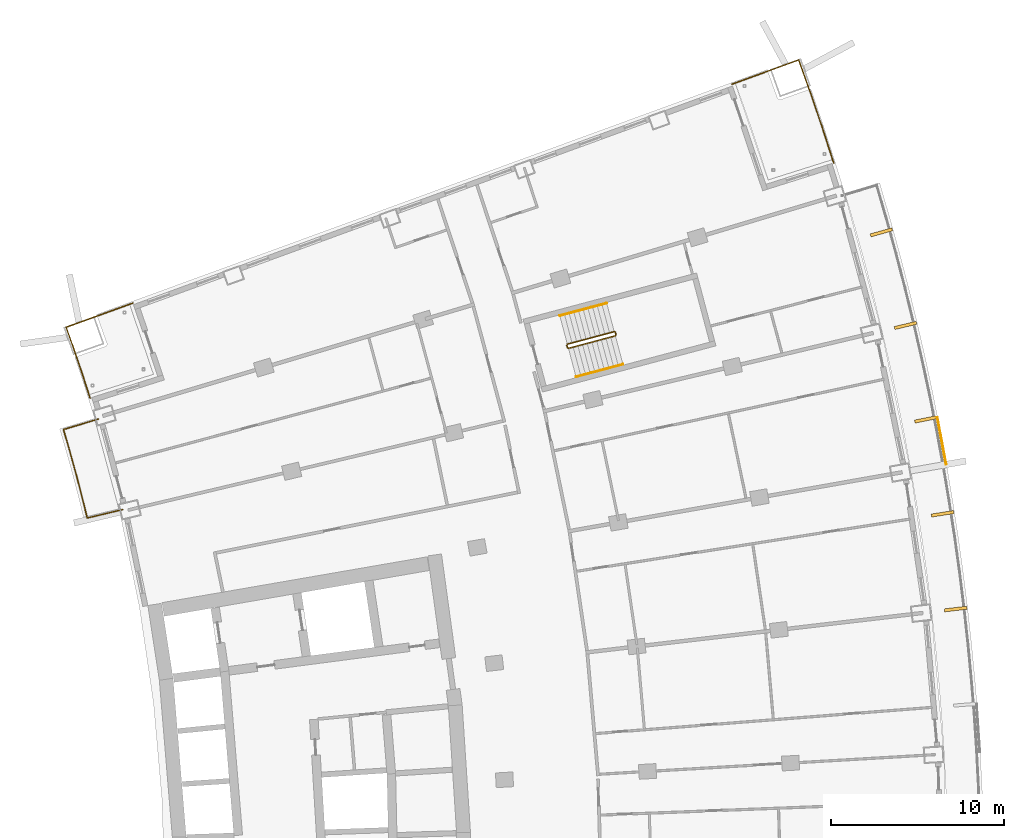
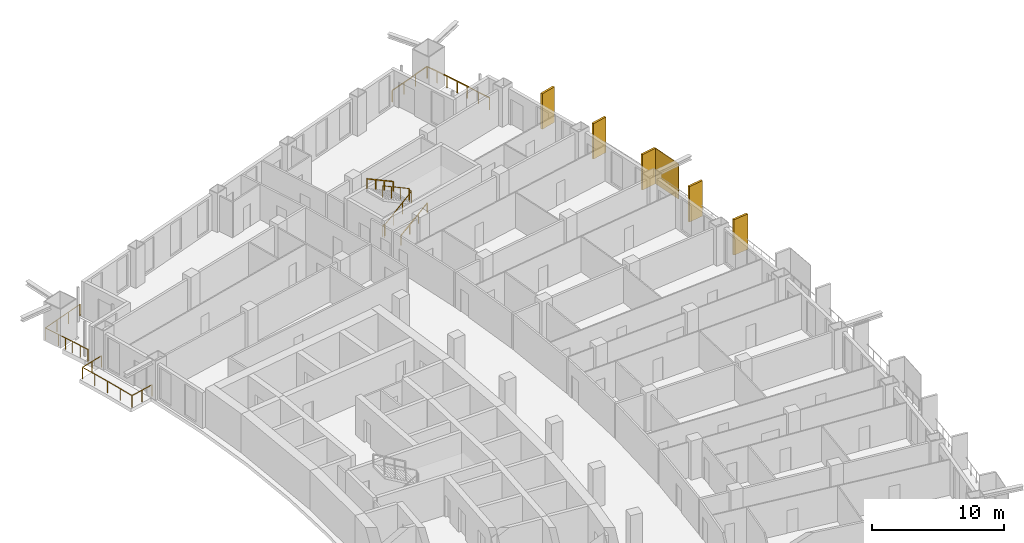
# One storey, part 25 of 25: 6 railings, 6 shading devices.
"""IFC4 building model written with IfcOpenShell, lengths in metres."""

from ifc_helpers import new_model, si_unit, direction, frame, origin, origin_2d, place, context, subcontext, project, spatial, rectangle, extrude, material, layer, layer_set, type_object, element, save


model = new_model("IFC4")

# Units and contexts
model_context = context("Model", 3, precision=1e-05, world=origin(), true_north=direction((0.0, 1.0)))
body_context = subcontext(model_context, "Body", "Model", "MODEL_VIEW")
ifc_project = project(units=[si_unit("LENGTHUNIT", "METRE"), si_unit("AREAUNIT", "SQUARE_METRE"), si_unit("VOLUMEUNIT", "CUBIC_METRE"), si_unit("PLANEANGLEUNIT", "RADIAN"), si_unit("MASSUNIT", "GRAM", prefix="KILO")], contexts=[model_context])

# Site, building, storey
site_placement = place(None, origin())
site = spatial("IfcSite", under=ifc_project, at=site_placement, CompositionType="ELEMENT")
building_placement = place(site_placement, origin())
building = spatial("IfcBuilding", under=site, at=building_placement, Name="Alderwake Tower", CompositionType="ELEMENT")
storey_placement = place(building_placement, frame((0.0, 0.0, 122.0)))
storey = spatial("IfcBuildingStorey", under=building, at=storey_placement, Name="L30", CompositionType="ELEMENT", Elevation=122.0)

# Railings
ifc_material_1 = material(Name="Stainless steel 316 rail and posts", Category="steel")
railing_type_1 = type_object("IfcRailingType", Name="Balcony guard 1100", PredefinedType="GUARDRAIL", material=ifc_material_1)
railing_1_placement = place(storey_placement, frame((13.5693359375, 83.343017578125, 0.0)))
element("IfcRailing", 1, at=railing_1_placement, inside=storey, type_object=railing_type_1, Name="Guard BR11", PredefinedType="GUARDRAIL", context=body_context, shape_type="SweptSolid", body=[
    extrude(rectangle(XDim=0.048095703125, YDim=0.048095703125, at=origin_2d()), frame((0.0, 0.0, 1.076171875), z_axis=(-0.972646310656, -0.232291098337, 0.0), x_axis=(0.232291098337, -0.972646310656, 0.0)), (0.0, 0.0, 1.0), 2.099853515625),
    extrude(rectangle(XDim=0.048095703125, YDim=0.048095703125, at=origin_2d()), frame((-2.04248046875, -0.48779296875, 1.076171875), z_axis=(-0.238877101641, 0.971049808358, 0.0), x_axis=(-0.971049808358, -0.238877101641, 0.0)), (0.0, 0.0, 1.0), 1.2724609375),
    extrude(rectangle(XDim=0.048095703125, YDim=0.048095703125, at=origin_2d()), frame((-2.346435546875, 0.747802734375, 1.076171875), z_axis=(-0.252487086228, 0.967600264204, 0.0), x_axis=(-0.967600264204, -0.252487086228, 0.0)), (0.0, 0.0, 1.0), 1.3720703125),
    extrude(rectangle(XDim=0.048095703125, YDim=0.048095703125, at=origin_2d()), frame((-2.69287109375, 2.075439453125, 1.076171875), z_axis=(-0.266487604617, 0.963838345671, 0.0), x_axis=(-0.963838345671, -0.266487604617, 0.0)), (0.0, 0.0, 1.0), 1.372314453125),
    extrude(rectangle(XDim=0.048095703125, YDim=0.048095703125, at=origin_2d()), frame((-3.05859375, 3.398193359375, 1.076171875), z_axis=(-0.279963157487, 0.960010744966, 0.0), x_axis=(-0.960010744966, -0.279963157487, 0.0)), (0.0, 0.0, 1.0), 1.272216796875),
    extrude(rectangle(XDim=0.048095703125, YDim=0.048095703125, at=origin_2d()), frame((-3.414794921875, 4.61962890625, 1.076171875), z_axis=(0.958091458885, 0.286462486918, 0.0), x_axis=(-0.286462486918, 0.958091458885, 0.0)), (0.0, 0.0, 1.0), 2.099853515625),
    extrude(rectangle(XDim=0.0419921875, YDim=0.0419921875, at=origin_2d()), frame((0.0, 0.0, 0.0), z_axis=(0.0, 0.0, 1.0), x_axis=(-0.972646310656, -0.232291098337, 0.0)), (0.0, 0.0, 1.0), 1.052001953125),
    extrude(rectangle(XDim=0.0419921875, YDim=0.0419921875, at=origin_2d()), frame((-1.021240234375, -0.243896484375, 0.0), z_axis=(0.0, 0.0, 1.0), x_axis=(-0.972646310656, -0.232291098337, 0.0)), (0.0, 0.0, 1.0), 1.052001953125),
    extrude(rectangle(XDim=0.0419921875, YDim=0.0419921875, at=origin_2d()), frame((-2.04248046875, -0.48779296875, 0.0), z_axis=(0.0, 0.0, 1.0), x_axis=(-0.238877101641, 0.971049808358, 0.0)), (0.0, 0.0, 1.0), 1.052001953125),
    extrude(rectangle(XDim=0.0419921875, YDim=0.0419921875, at=origin_2d()), frame((-2.346435546875, 0.747802734375, 0.0), z_axis=(0.0, 0.0, 1.0), x_axis=(-0.252487086228, 0.967600264204, 0.0)), (0.0, 0.0, 1.0), 1.052001953125),
    extrude(rectangle(XDim=0.0419921875, YDim=0.0419921875, at=origin_2d()), frame((-2.69287109375, 2.075439453125, 0.0), z_axis=(0.0, 0.0, 1.0), x_axis=(-0.266487604617, 0.963838345671, 0.0)), (0.0, 0.0, 1.0), 1.052001953125),
    extrude(rectangle(XDim=0.0419921875, YDim=0.0419921875, at=origin_2d()), frame((-3.05859375, 3.398193359375, 0.0), z_axis=(0.0, 0.0, 1.0), x_axis=(-0.279963157487, 0.960010744966, 0.0)), (0.0, 0.0, 1.0), 1.052001953125),
    extrude(rectangle(XDim=0.0419921875, YDim=0.0419921875, at=origin_2d()), frame((-3.414794921875, 4.61962890625, 0.0), z_axis=(0.0, 0.0, 1.0), x_axis=(0.958091458885, 0.286462486918, 0.0)), (0.0, 0.0, 1.0), 1.052001953125),
    extrude(rectangle(XDim=0.0419921875, YDim=0.0419921875, at=origin_2d()), frame((-2.40869140625, 4.92041015625, 0.0), z_axis=(0.0, 0.0, 1.0), x_axis=(0.958091458885, 0.286462486918, 0.0)), (0.0, 0.0, 1.0), 1.052001953125),
    extrude(rectangle(XDim=0.0419921875, YDim=0.0419921875, at=origin_2d()), frame((-1.40283203125, 5.22119140625, 0.0), z_axis=(0.0, 0.0, 1.0), x_axis=(0.958091458885, 0.286462486918, 0.0)), (0.0, 0.0, 1.0), 1.052001953125),
])
railing_2_placement = place(storey_placement, frame((54.594970703125, 103.348876953125, 0.0)))
element("IfcRailing", 2, at=railing_2_placement, inside=storey, type_object=railing_type_1, Name="Guard terrace FN", PredefinedType="GUARDRAIL", context=body_context, shape_type="SweptSolid", body=[
    extrude(rectangle(XDim=0.048095703125, YDim=0.048095703125, at=origin_2d()), frame((0.0, 0.0, 1.076171875), z_axis=(-0.307779974329, 0.951457559433, 0.0), x_axis=(-0.951457559433, -0.307779974329, 0.0)), (0.0, 0.0, 1.0), 2.257568359375),
    extrude(rectangle(XDim=0.048095703125, YDim=0.048095703125, at=origin_2d()), frame((-0.69482421875, 2.14794921875, 1.076171875), z_axis=(-0.322236651578, 0.946659146884, 0.0), x_axis=(-0.946659146884, -0.322236651578, 0.0)), (0.0, 0.0, 1.0), 2.057861328125),
    extrude(rectangle(XDim=0.048095703125, YDim=0.048095703125, at=origin_2d()), frame((-1.35791015625, 4.095947265625, 1.076171875), z_axis=(-0.335838646603, 0.941919531302, 0.0), x_axis=(-0.941919531302, -0.335838646603, 0.0)), (0.0, 0.0, 1.0), 1.957763671875),
    extrude(rectangle(XDim=0.048095703125, YDim=0.048095703125, at=origin_2d()), frame((-2.015380859375, 5.93994140625, 1.076171875), z_axis=(-0.939617696184, -0.342225926863, 0.0), x_axis=(0.342225926863, -0.939617696184, 0.0)), (0.0, 0.0, 1.0), 4.099853515625),
    extrude(rectangle(XDim=0.0419921875, YDim=0.0419921875, at=origin_2d()), frame((0.0, 0.0, 0.0), z_axis=(0.0, 0.0, 1.0), x_axis=(-0.307779974329, 0.951457559433, 0.0)), (0.0, 0.0, 1.0), 1.052001953125),
    extrude(rectangle(XDim=0.0419921875, YDim=0.0419921875, at=origin_2d()), frame((-0.347412109375, 1.073974609375, 0.0), z_axis=(0.0, 0.0, 1.0), x_axis=(-0.307779974329, 0.951457559433, 0.0)), (0.0, 0.0, 1.0), 1.052001953125),
    extrude(rectangle(XDim=0.0419921875, YDim=0.0419921875, at=origin_2d()), frame((-0.69482421875, 2.14794921875, 0.0), z_axis=(0.0, 0.0, 1.0), x_axis=(-0.322236651578, 0.946659146884, 0.0)), (0.0, 0.0, 1.0), 1.052001953125),
    extrude(rectangle(XDim=0.0419921875, YDim=0.0419921875, at=origin_2d()), frame((-1.0263671875, 3.1220703125, 0.0), z_axis=(0.0, 0.0, 1.0), x_axis=(-0.322236651578, 0.946659146884, 0.0)), (0.0, 0.0, 1.0), 1.052001953125),
    extrude(rectangle(XDim=0.0419921875, YDim=0.0419921875, at=origin_2d()), frame((-1.35791015625, 4.095947265625, 0.0), z_axis=(0.0, 0.0, 1.0), x_axis=(-0.335838646603, 0.941919531302, 0.0)), (0.0, 0.0, 1.0), 1.052001953125),
    extrude(rectangle(XDim=0.0419921875, YDim=0.0419921875, at=origin_2d()), frame((-1.6865234375, 5.01806640625, 0.0), z_axis=(0.0, 0.0, 1.0), x_axis=(-0.335838646603, 0.941919531302, 0.0)), (0.0, 0.0, 1.0), 1.052001953125),
    extrude(rectangle(XDim=0.0419921875, YDim=0.0419921875, at=origin_2d()), frame((-2.015380859375, 5.93994140625, 0.0), z_axis=(0.0, 0.0, 1.0), x_axis=(-0.939617696184, -0.342225926863, 0.0)), (0.0, 0.0, 1.0), 1.052001953125),
    extrude(rectangle(XDim=0.0419921875, YDim=0.0419921875, at=origin_2d()), frame((-3.299560546875, 5.47216796875, 0.0), z_axis=(0.0, 0.0, 1.0), x_axis=(-0.939617696184, -0.342225926863, 0.0)), (0.0, 0.0, 1.0), 1.052001953125),
    extrude(rectangle(XDim=0.0419921875, YDim=0.0419921875, at=origin_2d()), frame((-4.58349609375, 5.004638671875, 0.0), z_axis=(0.0, 0.0, 1.0), x_axis=(-0.939617696184, -0.342225926863, 0.0)), (0.0, 0.0, 1.0), 1.052001953125),
    extrude(rectangle(XDim=0.0419921875, YDim=0.0419921875, at=origin_2d()), frame((-5.86767578125, 4.536865234375, 0.0), z_axis=(0.0, 0.0, 1.0), x_axis=(-0.939617696184, -0.342225926863, 0.0)), (0.0, 0.0, 1.0), 1.052001953125),
])
railing_3_placement = place(storey_placement, frame((11.688720703125, 89.781982421875, 0.0)))
element("IfcRailing", 3, at=railing_3_placement, inside=storey, type_object=railing_type_1, Name="Guard terrace RN", PredefinedType="GUARDRAIL", context=body_context, shape_type="SweptSolid", body=[
    extrude(rectangle(XDim=0.048095703125, YDim=0.048095703125, at=origin_2d()), frame((0.0, 0.0, 1.076171875), z_axis=(-0.307479326145, 0.951554761426, 0.0), x_axis=(-0.951554761426, -0.307479326145, 0.0)), (0.0, 0.0, 1.0), 1.6015625),
    extrude(rectangle(XDim=0.048095703125, YDim=0.048095703125, at=origin_2d()), frame((-0.492431640625, 1.52392578125, 1.076171875), z_axis=(-0.322283727344, 0.946643121292, 0.0), x_axis=(-0.946643121292, -0.322283727344, 0.0)), (0.0, 0.0, 1.0), 1.4013671875),
    extrude(rectangle(XDim=0.048095703125, YDim=0.048095703125, at=origin_2d()), frame((-0.944091796875, 2.8505859375, 1.076171875), z_axis=(-0.335468607403, 0.942051385778, 0.0), x_axis=(-0.942051385778, -0.335468607403, 0.0)), (0.0, 0.0, 1.0), 1.30126953125),
    extrude(rectangle(XDim=0.048095703125, YDim=0.048095703125, at=origin_2d()), frame((-1.380615234375, 4.076416015625, 1.076171875), z_axis=(0.939708203232, 0.341977327873, 0.0), x_axis=(-0.341977327873, 0.939708203232, 0.0)), (0.0, 0.0, 1.0), 4.10009765625),
    extrude(rectangle(XDim=0.0419921875, YDim=0.0419921875, at=origin_2d()), frame((0.0, 0.0, 0.0), z_axis=(0.0, 0.0, 1.0), x_axis=(-0.307479326145, 0.951554761426, 0.0)), (0.0, 0.0, 1.0), 1.052001953125),
    extrude(rectangle(XDim=0.0419921875, YDim=0.0419921875, at=origin_2d()), frame((-0.24609375, 0.761962890625, 0.0), z_axis=(0.0, 0.0, 1.0), x_axis=(-0.307479326145, 0.951554761426, 0.0)), (0.0, 0.0, 1.0), 1.052001953125),
    extrude(rectangle(XDim=0.0419921875, YDim=0.0419921875, at=origin_2d()), frame((-0.492431640625, 1.52392578125, 0.0), z_axis=(0.0, 0.0, 1.0), x_axis=(-0.322283727344, 0.946643121292, 0.0)), (0.0, 0.0, 1.0), 1.052001953125),
    extrude(rectangle(XDim=0.0419921875, YDim=0.0419921875, at=origin_2d()), frame((-0.71826171875, 2.187255859375, 0.0), z_axis=(0.0, 0.0, 1.0), x_axis=(-0.322283727344, 0.946643121292, 0.0)), (0.0, 0.0, 1.0), 1.052001953125),
    extrude(rectangle(XDim=0.0419921875, YDim=0.0419921875, at=origin_2d()), frame((-0.944091796875, 2.8505859375, 0.0), z_axis=(0.0, 0.0, 1.0), x_axis=(-0.335468607403, 0.942051385778, 0.0)), (0.0, 0.0, 1.0), 1.052001953125),
    extrude(rectangle(XDim=0.0419921875, YDim=0.0419921875, at=origin_2d()), frame((-1.380615234375, 4.076416015625, 0.0), z_axis=(0.0, 0.0, 1.0), x_axis=(0.939708203232, 0.341977327873, 0.0)), (0.0, 0.0, 1.0), 1.052001953125),
    extrude(rectangle(XDim=0.0419921875, YDim=0.0419921875, at=origin_2d()), frame((-0.096435546875, 4.543701171875, 0.0), z_axis=(0.0, 0.0, 1.0), x_axis=(0.939708203232, 0.341977327873, 0.0)), (0.0, 0.0, 1.0), 1.052001953125),
    extrude(rectangle(XDim=0.0419921875, YDim=0.0419921875, at=origin_2d()), frame((1.18798828125, 5.01123046875, 0.0), z_axis=(0.0, 0.0, 1.0), x_axis=(0.939708203232, 0.341977327873, 0.0)), (0.0, 0.0, 1.0), 1.052001953125),
    extrude(rectangle(XDim=0.0419921875, YDim=0.0419921875, at=origin_2d()), frame((2.47216796875, 5.478515625, 0.0), z_axis=(0.0, 0.0, 1.0), x_axis=(0.939708203232, 0.341977327873, 0.0)), (0.0, 0.0, 1.0), 1.052001953125),
])

# Shading devices
ifc_material_2 = material(Name="Bronze anodised aluminium", Category="aluminium")
ifc_layer_1 = layer(ifc_material_2, 0.179931640625)
ifc_layer_set_1 = layer_set([ifc_layer_1], Name="Facade fin 1300")
shading_device_type_1 = type_object("IfcShadingDeviceType", Name="Facade fin 1300", PredefinedType="USERDEFINED", material=ifc_layer_set_1)
for number, where, z_axis, x_axis, name in (
    (4, (61.630126953125, 77.603759765625, 0.0), (0.0, 0.0, 1.0), (0.993198315083, 0.116434990084, 0.0), "Fin"),
    (5, (60.877197265625, 83.09912109375, 0.0), (0.0, 0.0, 1.0), (0.987918787879, 0.154972476771, 0.0), "Fin"),
    (6, (59.9140625, 88.547119140625, 0.0), (0.0, 0.0, 1.0), (0.981163751315, 0.193177879441, 0.0), "Fin"),
    (7, (58.73681640625, 93.967529296875, 0.0), (0.0, 0.0, 1.0), (0.972908790564, 0.231189284448, 0.0), "Fin"),
    (8, (57.349609375, 99.338134765625, 0.0), (0.0, 0.0, 1.0), (0.96318180783, 0.268850897459, 0.0), "Fin"),
):
    element("IfcShadingDevice", number, at=place(storey_placement, frame(where, z_axis=z_axis, x_axis=x_axis)), inside=storey, type_object=shading_device_type_1, Name=name, ObjectType="FIN", PredefinedType="USERDEFINED", context=body_context, shape_type="SweptSolid", body=[
        extrude(rectangle(XDim=1.300048828125, YDim=0.179931640625, at=origin_2d()), origin(), (0.0, 0.0, 1.0), 3.280029296875),
    ])
ifc_material_3 = material(Name="Perforated bronze anodised aluminium", Category="aluminium")
ifc_layer_2 = layer(ifc_material_3, 0.050048828125)
ifc_layer_set_2 = layer_set([ifc_layer_2], Name="Perforated screen panel")
shading_device_type_2 = type_object("IfcShadingDeviceType", Name="Perforated screen panel", PredefinedType="USERDEFINED", material=ifc_layer_set_2)
shading_device_placement = place(storey_placement, frame((60.83154296875, 87.3115234375, 0.0), z_axis=(0.0, 0.0, 1.0), x_axis=(0.982991488043, 0.183651121519, 0.0)))
element("IfcShadingDevice", 9, at=shading_device_placement, inside=storey, type_object=shading_device_type_2, Name="Screen panel", ObjectType="SCREEN", PredefinedType="USERDEFINED", context=body_context, shape_type="SweptSolid", body=[
    extrude(rectangle(XDim=0.050048828125, YDim=2.779541015625, at=origin_2d()), origin(), (0.0, 0.0, 1.0), 3.280029296875),
])

# Railings
ifc_material_4 = material(Name="Stainless steel guard", Category="steel")
railing_type_2 = type_object("IfcRailingType", Name="Stair guard 1100", PredefinedType="GUARDRAIL", material=ifc_material_4)
railing_4_placement = place(storey_placement, frame((39.23291015625, 92.6806640625, 0.0)))
element("IfcRailing", 10, at=railing_4_placement, inside=storey, type_object=railing_type_2, Name="L30 ST-A stair guard 1", PredefinedType="GUARDRAIL", context=body_context, shape_type="SweptSolid", body=[
    extrude(rectangle(XDim=0.048095703125, YDim=0.048095703125, at=origin_2d()), frame((0.0, 0.0, 1.076171875), z_axis=(-0.257055032184, 0.966396766566, 0.0), x_axis=(-0.966396766566, -0.257055032184, 0.0)), (0.0, 0.0, 1.0), 0.150146484375),
    extrude(rectangle(XDim=0.048095703125, YDim=0.048095703125, at=origin_2d()), frame((-0.03857421875, 0.14501953125, 1.076171875), z_axis=(0.379370725808, -0.685464465458, 0.621463047167), x_axis=(0.874937996095, 0.484234966715, 0.0)), (0.0, 0.0, 1.0), 0.26318359375),
    extrude(rectangle(XDim=0.048095703125, YDim=0.048095703125, at=origin_2d()), frame((0.061279296875, -0.035400390625, 1.23974609375), z_axis=(0.834258940753, 0.22222815314, 0.504605457487), x_axis=(-0.257402139082, 0.966304371715, 0.0)), (0.0, 0.0, 1.0), 3.2431640625),
    extrude(rectangle(XDim=0.048095703125, YDim=0.048095703125, at=origin_2d()), frame((2.766845703125, 0.685302734375, 2.8759765625), z_axis=(0.500220121494, 0.865898279276, 0.0), x_axis=(-0.865898279276, 0.500220121494, 0.0)), (0.0, 0.0, 1.0), 0.07080078125),
    extrude(rectangle(XDim=0.048095703125, YDim=0.048095703125, at=origin_2d()), frame((2.80224609375, 0.74658203125, 2.8759765625), z_axis=(-0.257459803502, 0.966289009345, 0.0), x_axis=(-0.966289009345, -0.257459803502, 0.0)), (0.0, 0.0, 1.0), 0.14990234375),
    extrude(rectangle(XDim=0.048095703125, YDim=0.048095703125, at=origin_2d()), frame((2.763671875, 0.891357421875, 2.8759765625), z_axis=(-0.34252489212, 0.200034536998, 0.917966710881), x_axis=(-0.504300490226, -0.863528236688, 0.0)), (0.0, 0.0, 1.0), 0.17822265625),
    extrude(rectangle(XDim=0.048095703125, YDim=0.048095703125, at=origin_2d()), frame((2.70263671875, 0.927001953125, 3.03955078125), z_axis=(-0.834281824786, -0.222214197128, 0.504573768072), x_axis=(0.257380452725, -0.966310148221, 0.0)), (0.0, 0.0, 1.0), 3.2431640625),
    extrude(rectangle(XDim=0.0419921875, YDim=0.0419921875, at=origin_2d()), frame((0.0, 0.0, 0.0), z_axis=(0.0, 0.0, 1.0), x_axis=(-0.257055032184, 0.966396766566, 0.0)), (0.0, 0.0, 1.0), 1.052001953125),
    extrude(rectangle(XDim=0.0419921875, YDim=0.0419921875, at=origin_2d()), frame((-0.03857421875, 0.14501953125, 0.0), z_axis=(0.0, 0.0, 1.0), x_axis=(0.484234966715, -0.874937996095, 0.0)), (0.0, 0.0, 1.0), 1.052001953125),
    extrude(rectangle(XDim=0.0419921875, YDim=0.0419921875, at=origin_2d()), frame((0.061279296875, -0.035400390625, 0.16357421875), z_axis=(0.0, 0.0, 1.0), x_axis=(0.966304371715, 0.257402139082, 0.0)), (0.0, 0.0, 1.0), 1.052001953125),
    extrude(rectangle(XDim=0.0419921875, YDim=0.0419921875, at=origin_2d()), frame((0.963134765625, 0.204833984375, 0.708984375), z_axis=(0.0, 0.0, 1.0), x_axis=(0.966304371715, 0.257402139082, 0.0)), (0.0, 0.0, 1.0), 1.052001953125),
    extrude(rectangle(XDim=0.0419921875, YDim=0.0419921875, at=origin_2d()), frame((1.864990234375, 0.445068359375, 1.254638671875), z_axis=(0.0, 0.0, 1.0), x_axis=(0.966304371715, 0.257402139082, 0.0)), (0.0, 0.0, 1.0), 1.052001953125),
    extrude(rectangle(XDim=0.0419921875, YDim=0.0419921875, at=origin_2d()), frame((2.766845703125, 0.685302734375, 1.800048828125), z_axis=(0.0, 0.0, 1.0), x_axis=(0.500220121494, 0.865898279276, 0.0)), (0.0, 0.0, 1.0), 1.052001953125),
    extrude(rectangle(XDim=0.0419921875, YDim=0.0419921875, at=origin_2d()), frame((2.80224609375, 0.74658203125, 1.800048828125), z_axis=(0.0, 0.0, 1.0), x_axis=(-0.257459803502, 0.966289009345, 0.0)), (0.0, 0.0, 1.0), 1.052001953125),
    extrude(rectangle(XDim=0.0419921875, YDim=0.0419921875, at=origin_2d()), frame((2.763671875, 0.891357421875, 1.800048828125), z_axis=(0.0, 0.0, 1.0), x_axis=(-0.863528236688, 0.504300490226, 0.0)), (0.0, 0.0, 1.0), 1.052001953125),
    extrude(rectangle(XDim=0.0419921875, YDim=0.0419921875, at=origin_2d()), frame((2.70263671875, 0.927001953125, 1.963623046875), z_axis=(0.0, 0.0, 1.0), x_axis=(-0.966310148221, -0.257380452725, 0.0)), (0.0, 0.0, 1.0), 1.052001953125),
    extrude(rectangle(XDim=0.0419921875, YDim=0.0419921875, at=origin_2d()), frame((1.80078125, 0.686767578125, 2.509033203125), z_axis=(0.0, 0.0, 1.0), x_axis=(-0.966310148221, -0.257380452725, 0.0)), (0.0, 0.0, 1.0), 1.052001953125),
    extrude(rectangle(XDim=0.0419921875, YDim=0.0419921875, at=origin_2d()), frame((0.898681640625, 0.446533203125, 3.0546875), z_axis=(0.0, 0.0, 1.0), x_axis=(-0.966310148221, -0.257380452725, 0.0)), (0.0, 0.0, 1.0), 1.052001953125),
    extrude(rectangle(XDim=0.0419921875, YDim=0.0419921875, at=origin_2d()), frame((-0.003173828125, 0.206298828125, 3.60009765625), z_axis=(0.0, 0.0, 1.0), x_axis=(-0.966310148221, -0.257380452725, 0.0)), (0.0, 0.0, 1.0), 1.052001953125),
])
ifc_material_5 = material(Name="Stainless steel handrail", Category="steel")
railing_type_3 = type_object("IfcRailingType", Name="Stair handrail 900", PredefinedType="HANDRAIL", material=ifc_material_5)
railing_5_placement = place(storey_placement, frame((39.731689453125, 91.002685546875, 0.16357421875)))
element("IfcRailing", 11, at=railing_5_placement, inside=storey, type_object=railing_type_3, Name="L30 ST-A stair handrail 1", PredefinedType="HANDRAIL", context=body_context, shape_type="SweptSolid", body=[
    extrude(rectangle(XDim=0.048095703125, YDim=0.048095703125, at=origin_2d()), frame((0.0, 0.0, 0.8759765625), z_axis=(0.834258940753, 0.22222815314, 0.504605457487), x_axis=(-0.257402139082, 0.966304371715, 0.0)), (0.0, 0.0, 1.0), 3.2431640625),
    extrude(rectangle(XDim=0.0419921875, YDim=0.0419921875, at=origin_2d()), frame((0.0, 0.0, 0.0), z_axis=(0.0, 0.0, 1.0), x_axis=(0.966304371715, 0.257402139082, 0.0)), (0.0, 0.0, 1.0), 0.851806640625),
    extrude(rectangle(XDim=0.0419921875, YDim=0.0419921875, at=origin_2d()), frame((0.90185546875, 0.240234375, 0.54541015625), z_axis=(0.0, 0.0, 1.0), x_axis=(0.966304371715, 0.257402139082, 0.0)), (0.0, 0.0, 1.0), 0.851806640625),
    extrude(rectangle(XDim=0.0419921875, YDim=0.0419921875, at=origin_2d()), frame((1.8037109375, 0.48046875, 1.091064453125), z_axis=(0.0, 0.0, 1.0), x_axis=(0.966304371715, 0.257402139082, 0.0)), (0.0, 0.0, 1.0), 0.851806640625),
    extrude(rectangle(XDim=0.0419921875, YDim=0.0419921875, at=origin_2d()), frame((2.70556640625, 0.720703125, 1.636474609375), z_axis=(0.0, 0.0, 1.0), x_axis=(0.966304371715, 0.257402139082, 0.0)), (0.0, 0.0, 1.0), 0.851806640625),
])
railing_6_placement = place(storey_placement, frame((41.497802734375, 95.250244140625, 1.963623046875)))
element("IfcRailing", 12, at=railing_6_placement, inside=storey, type_object=railing_type_3, Name="L30 ST-A stair handrail 2", PredefinedType="HANDRAIL", context=body_context, shape_type="SweptSolid", body=[
    extrude(rectangle(XDim=0.048095703125, YDim=0.048095703125, at=origin_2d()), frame((0.0, 0.0, 0.8759765625), z_axis=(-0.834258940753, -0.22222815314, 0.504605457487), x_axis=(0.257402139082, -0.966304371715, 0.0)), (0.0, 0.0, 1.0), 3.2431640625),
    extrude(rectangle(XDim=0.0419921875, YDim=0.0419921875, at=origin_2d()), frame((0.0, 0.0, 0.0), z_axis=(0.0, 0.0, 1.0), x_axis=(-0.966304371715, -0.257402139082, 0.0)), (0.0, 0.0, 1.0), 0.851806640625),
    extrude(rectangle(XDim=0.0419921875, YDim=0.0419921875, at=origin_2d()), frame((-0.90185546875, -0.240234375, 0.54541015625), z_axis=(0.0, 0.0, 1.0), x_axis=(-0.966304371715, -0.257402139082, 0.0)), (0.0, 0.0, 1.0), 0.851806640625),
    extrude(rectangle(XDim=0.0419921875, YDim=0.0419921875, at=origin_2d()), frame((-1.8037109375, -0.48046875, 1.091064453125), z_axis=(0.0, 0.0, 1.0), x_axis=(-0.966304371715, -0.257402139082, 0.0)), (0.0, 0.0, 1.0), 0.851806640625),
    extrude(rectangle(XDim=0.0419921875, YDim=0.0419921875, at=origin_2d()), frame((-2.70556640625, -0.720703125, 1.636474609375), z_axis=(0.0, 0.0, 1.0), x_axis=(-0.966304371715, -0.257402139082, 0.0)), (0.0, 0.0, 1.0), 0.851806640625),
])

save(model, "model.ifc")
